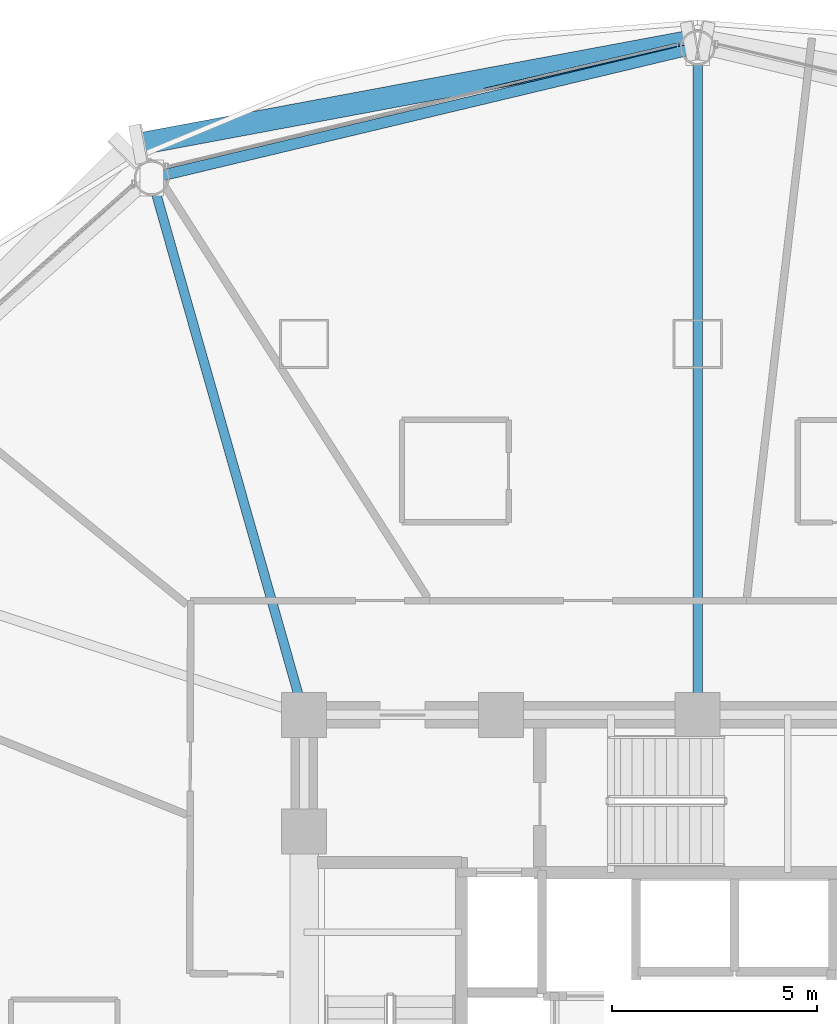
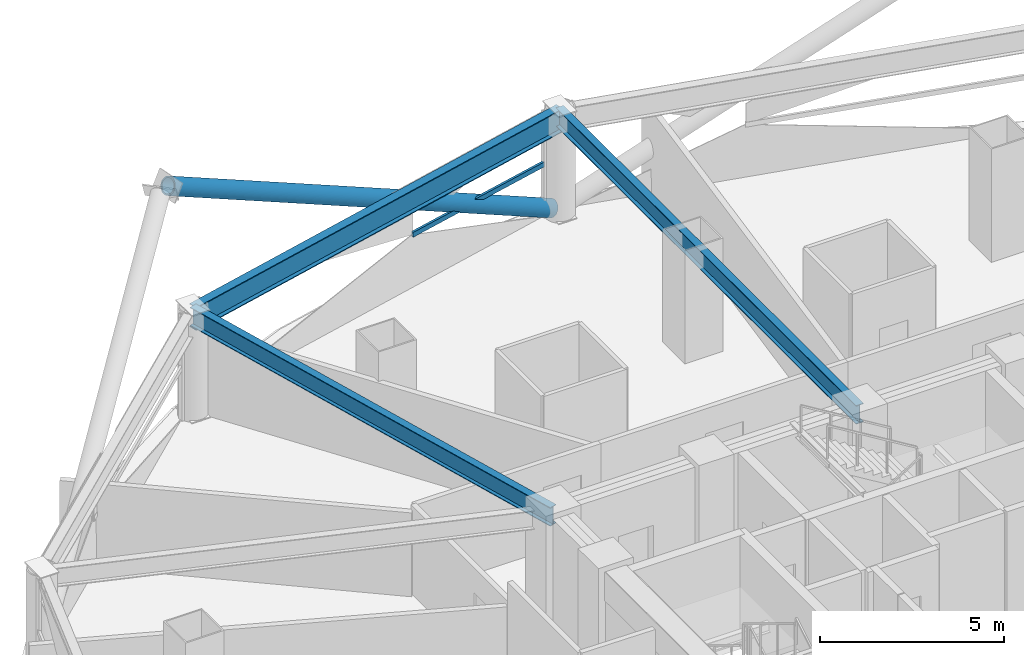
# One storey, part 17 of 30: 3 beams, 2 members, 1 element without a shape of its own.
"""IFC4 building model written with IfcOpenShell, lengths in metres."""

from ifc_helpers import new_model, si_unit, direction, frame, origin, origin_2d, place, context, subcontext, project, spatial, hollow_rectangle, hollow_circle, i_section, extrude, material, layer, layer_set, material_profile, profile_set, type_object, element, aggregate, save


model = new_model("IFC4")

# Units and contexts
model_context = context("Model", 3, precision=1e-05, world=origin(), true_north=direction((0.0, 1.0)))
body_context = subcontext(model_context, "Body", "Model", "MODEL_VIEW")
ifc_project = project(units=[si_unit("LENGTHUNIT", "METRE"), si_unit("AREAUNIT", "SQUARE_METRE"), si_unit("VOLUMEUNIT", "CUBIC_METRE"), si_unit("PLANEANGLEUNIT", "RADIAN"), si_unit("MASSUNIT", "GRAM", prefix="KILO")], contexts=[model_context])

# Site, building, storey
site_placement = place(None, origin())
site = spatial("IfcSite", under=ifc_project, at=site_placement, CompositionType="ELEMENT")
building_placement = place(site_placement, origin())
building = spatial("IfcBuilding", under=site, at=building_placement, Name="Vantalir Tower", CompositionType="ELEMENT")
storey_placement = place(building_placement, frame((0.0, 0.0, 49.5)))
storey = spatial("IfcBuildingStorey", under=building, at=storey_placement, Name="L11", CompositionType="ELEMENT", Elevation=49.5)

# Beams
ifc_material_1 = material(Name="Steel S355", Category="steel")
ifc_material_profile_1 = material_profile(ifc_material_1, i_section(OverallWidth=0.22998046875, OverallDepth=0.616943359375, WebThickness=0.01318359375, FlangeThickness=0.022216796875, at=origin_2d()), Name="Steel S355")
ifc_profile_set_1 = profile_set([ifc_material_profile_1], Name="Steel S355")
beam_type_1 = type_object("IfcBeamType", Name="BM-RB-610x229", PredefinedType="BEAM", material=ifc_profile_set_1)
beam_1_placement = place(storey_placement, frame((31.5, 48.72607421875, 3.261962890625), z_axis=(0.0, -1.0, 0.0), x_axis=(1.0, 0.0, 0.0)))
element("IfcBeam", 1, at=beam_1_placement, inside=storey, type_object=beam_type_1, Name="L11 Radial Floor Beam 04", PredefinedType="BEAM", context=body_context, shape_type="SweptSolid", body=[
    extrude(i_section(OverallWidth=0.22998046875, OverallDepth=0.616943359375, WebThickness=0.01318359375, FlangeThickness=0.022216796875, at=origin_2d()), origin(), (0.0, 0.0, 1.0), 16.276123046875),
])
beam_2_placement = place(storey_placement, frame((18.180908203125, 45.547119140625, 3.261962890625), z_axis=(0.273155282816, -0.961969953517, 0.0), x_axis=(0.961969953517, 0.273155282816, 0.0)))
element("IfcBeam", 2, at=beam_2_placement, inside=storey, type_object=beam_type_1, Name="L11 Radial Floor Beam 05", PredefinedType="BEAM", context=body_context, shape_type="SweptSolid", body=[
    extrude(i_section(OverallWidth=0.22998046875, OverallDepth=0.616943359375, WebThickness=0.01318359375, FlangeThickness=0.022216796875, at=origin_2d()), origin(), (0.0, 0.0, 1.0), 13.614990234375),
])
ifc_material_2 = material(Name="Steel S460", Category="steel")
ifc_material_profile_2 = material_profile(ifc_material_2, i_section(OverallWidth=0.26806640625, OverallDepth=0.77001953125, WebThickness=0.015625, FlangeThickness=0.025390625, at=origin_2d()), Name="Steel S460")
ifc_profile_set_2 = profile_set([ifc_material_profile_2], Name="Steel S460")
beam_type_2 = type_object("IfcBeamType", Name="BM-RG-762x267", PredefinedType="USERDEFINED", material=ifc_profile_set_2)
beam_3_placement = place(storey_placement, frame((31.5, 48.72607421875, 3.18505859375), z_axis=(-0.972678660555, -0.232155601486, 0.0), x_axis=(0.232155601486, -0.972678660555, 0.0)))
element("IfcBeam", 3, at=beam_3_placement, inside=storey, type_object=beam_type_2, Name="L11 Circumferential Ring Girder 04", ObjectType="GIRDER", PredefinedType="USERDEFINED", context=body_context, shape_type="SweptSolid", body=[
    extrude(i_section(OverallWidth=0.26806640625, OverallDepth=0.77001953125, WebThickness=0.015625, FlangeThickness=0.025390625, at=origin_2d()), origin(), (0.0, 0.0, 1.0), 13.693115234375),
])

# Curtain wall, member
ifc_material_3 = material(Name="Champagne-silver PVDF aluminium and double-silver Low-E glass", Category="aluminium")
ifc_layer = layer(ifc_material_3, 0.18994140625)
ifc_layer_set = layer_set([ifc_layer], Name="Champagne-silver PVDF aluminium and double-silver Low-E glass")
curtain_wall_type = type_object("IfcCurtainWallType", Name="CW-DIAMOND-Z1", PredefinedType="USERDEFINED", material=ifc_layer_set)
curtain_wall_placement = place(storey_placement, origin())
curtain_wall = element("IfcCurtainWall", 4, at=curtain_wall_placement, inside=storey, type_object=curtain_wall_type, Name="L11 Quilted Pyramid-Diamond Curtain Wall S04", ObjectType="UNITISED CURTAIN WALL", PredefinedType="USERDEFINED")
ifc_material_4 = material(Name="Champagne-silver PVDF aluminium 6063-T6", Category="aluminium")
ifc_material_profile_3 = material_profile(ifc_material_4, hollow_rectangle(XDim=0.074951171875, YDim=0.159912109375, WallThickness=0.00390625, at=origin_2d()), Name="Champagne-silver PVDF aluminium 6063-T6")
ifc_profile_set_3 = profile_set([ifc_material_profile_3], Name="Champagne-silver PVDF aluminium 6063-T6")
member_type_1 = type_object("IfcMemberType", Name="CWT-160x75", PredefinedType="USERDEFINED", material=ifc_profile_set_3)
member_1_placement = place(storey_placement, frame((31.04296875, 48.806884765625, 1.784912109375), z_axis=(-0.973779214904, -0.227495144168, 0.0), x_axis=(0.227495144168, -0.973779214904, 0.0)))
member_1 = element("IfcMember", 5, at=member_1_placement, type_object=member_type_1, Name="CW-L11-S04 Pyramid Fold Ridge Transom", ObjectType="TRANSOM", PredefinedType="USERDEFINED", context=body_context, shape_type="SweptSolid", body=[
    extrude(hollow_rectangle(XDim=0.074951171875, YDim=0.159912109375, WallThickness=0.00390625, at=origin_2d()), origin(), (0.0, 0.0, 1.0), 4.8828125),
])
aggregate(curtain_wall, [member_1])

# Member
ifc_material_profile_4 = material_profile(ifc_material_2, hollow_circle(Radius=0.27001953125, WallThickness=0.044921875, at=origin_2d()), Name="Steel S460")
ifc_profile_set_4 = profile_set([ifc_material_profile_4], Name="Steel S460")
member_type_2 = type_object("IfcMemberType", Name="MEM-DB-540x45", PredefinedType="BRACE", material=ifc_profile_set_4)
member_2_placement = place(storey_placement, frame((31.306884765625, 48.8798828125, 0.179931640625), z_axis=(-0.875994137919, -0.163274800154, 0.453845359088), x_axis=(0.183232387073, -0.983069627406, 0.0)))
element("IfcMember", 6, at=member_2_placement, inside=storey, type_object=member_type_2, Name="L11 Perimeter S460 Diagrid Brace R10L", PredefinedType="BRACE", context=body_context, shape_type="SweptSolid", body=[
    extrude(hollow_circle(Radius=0.27001953125, WallThickness=0.044921875, at=origin_2d()), origin(), (0.0, 0.0, 1.0), 15.33544921875),
])

save(model, "model.ifc")
